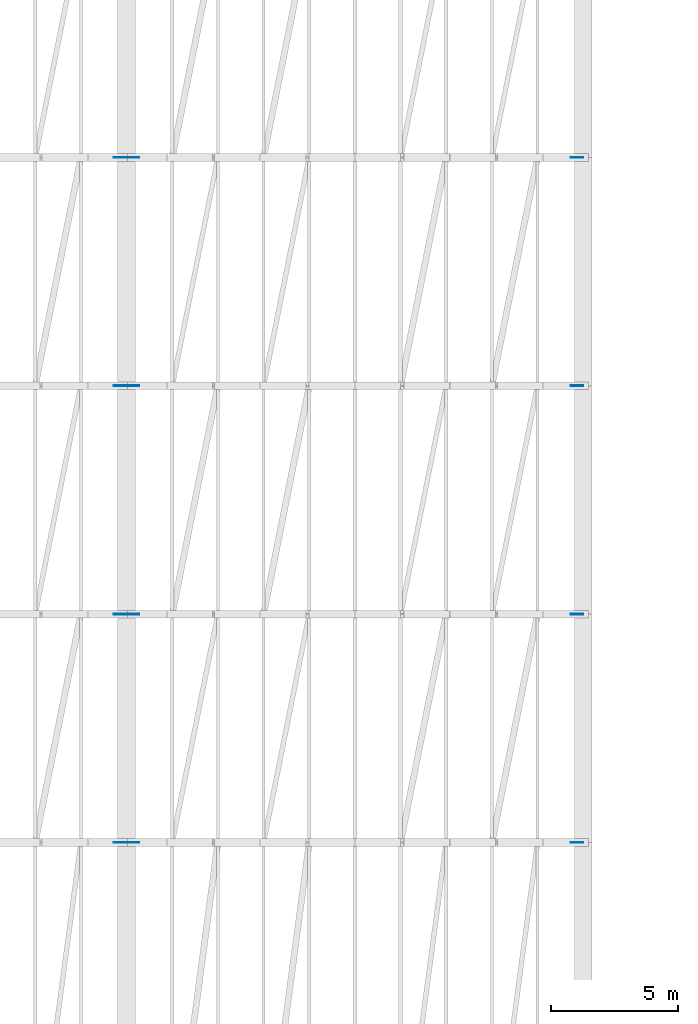
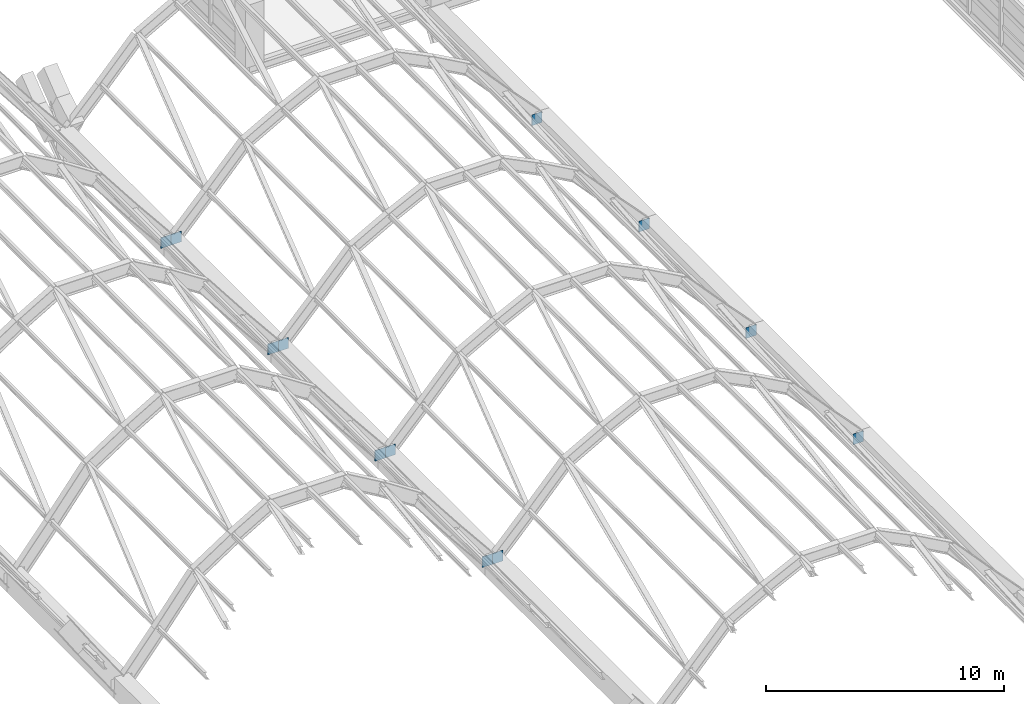
# One storey, part 74 of 86: 12 plates.
"""IFC4 building model written with IfcOpenShell, lengths in metres."""

from ifc_helpers import new_model, si_unit, direction, frame, origin, origin_2d, place, context, subcontext, project, spatial, rectangle, extrude, material, layer, layer_set, type_object, element, save


model = new_model("IFC4")

# Units and contexts
model_context = context("Model", 3, precision=1e-05, world=origin(), true_north=direction((0.0, 1.0)))
body_context = subcontext(model_context, "Body", "Model", "MODEL_VIEW")
ifc_project = project(units=[si_unit("LENGTHUNIT", "METRE"), si_unit("AREAUNIT", "SQUARE_METRE"), si_unit("VOLUMEUNIT", "CUBIC_METRE"), si_unit("PLANEANGLEUNIT", "RADIAN"), si_unit("MASSUNIT", "GRAM", prefix="KILO")], contexts=[model_context])

# Site, building, storey
site_placement = place(None, origin())
site = spatial("IfcSite", under=ifc_project, at=site_placement, CompositionType="ELEMENT")
building_placement = place(site_placement, origin())
building = spatial("IfcBuilding", under=site, at=building_placement, Name="Chuanluo Vaults Station", CompositionType="ELEMENT")
storey_placement = place(building_placement, frame((0.0, 0.0, 14.39990234375)))
storey = spatial("IfcBuildingStorey", under=building, at=storey_placement, Name="L03", CompositionType="ELEMENT", Elevation=14.39990234375)

# Plates
ifc_material = material(Name="Steel Q390C", Category="steel")
ifc_layer = layer(ifc_material, 0.028076171875)
ifc_layer_set = layer_set([ifc_layer], Name="Steel Q390C")
plate_type = type_object("IfcPlateType", Name="PLT-GUS-28", PredefinedType="USERDEFINED", material=ifc_layer_set)
for number, where, z_axis, x_axis, name in (
    (1, (107.75, 67.5, -0.875), (0.0, 0.0, 1.0), (1.0, 0.0, 0.0), "Vault V6 skewback node plate 5-E"),
    (2, (107.75, 76.5, -0.875), (0.0, 0.0, 1.0), (1.0, 0.0, 0.0), "Vault V6 skewback node plate 6-E"),
    (3, (107.75, 85.5, -0.875), (0.0, 0.0, 1.0), (1.0, 0.0, 0.0), "Vault V6 skewback node plate 7-E"),
    (4, (107.75, 94.5, -0.875), (0.0, 0.0, 1.0), (1.0, 0.0, 0.0), "Vault V6 skewback node plate 8-E"),
    (5, (108.25, 67.5, -0.875), (0.0, 0.0, 1.0), (1.0, 0.0, 0.0), "Vault V7 skewback node plate 5-W"),
    (6, (125.75, 67.5, -0.875), (0.0, 0.0, 1.0), (1.0, 0.0, 0.0), "Vault V7 skewback node plate 5-E"),
    (7, (108.25, 76.5, -0.875), (0.0, 0.0, 1.0), (1.0, 0.0, 0.0), "Vault V7 skewback node plate 6-W"),
    (8, (125.75, 76.5, -0.875), (0.0, 0.0, 1.0), (1.0, 0.0, 0.0), "Vault V7 skewback node plate 6-E"),
    (9, (108.25, 85.5, -0.875), (0.0, 0.0, 1.0), (1.0, 0.0, 0.0), "Vault V7 skewback node plate 7-W"),
    (10, (125.75, 85.5, -0.875), (0.0, 0.0, 1.0), (1.0, 0.0, 0.0), "Vault V7 skewback node plate 7-E"),
    (11, (108.25, 94.5, -0.875), (0.0, 0.0, 1.0), (1.0, 0.0, 0.0), "Vault V7 skewback node plate 8-W"),
    (12, (125.75, 94.5, -0.875), (0.0, 0.0, 1.0), (1.0, 0.0, 0.0), "Vault V7 skewback node plate 8-E"),
):
    element("IfcPlate", number, at=place(storey_placement, frame(where, z_axis=z_axis, x_axis=x_axis)), inside=storey, type_object=plate_type, Name=name, ObjectType="GUSSET_PLATE", PredefinedType="USERDEFINED", context=body_context, shape_type="SweptSolid", body=[
        extrude(rectangle(XDim=0.5, YDim=0.028076171875, at=origin_2d()), origin(), (0.0, 0.0, 1.0), 0.550048828125),
    ])

save(model, "model.ifc")
